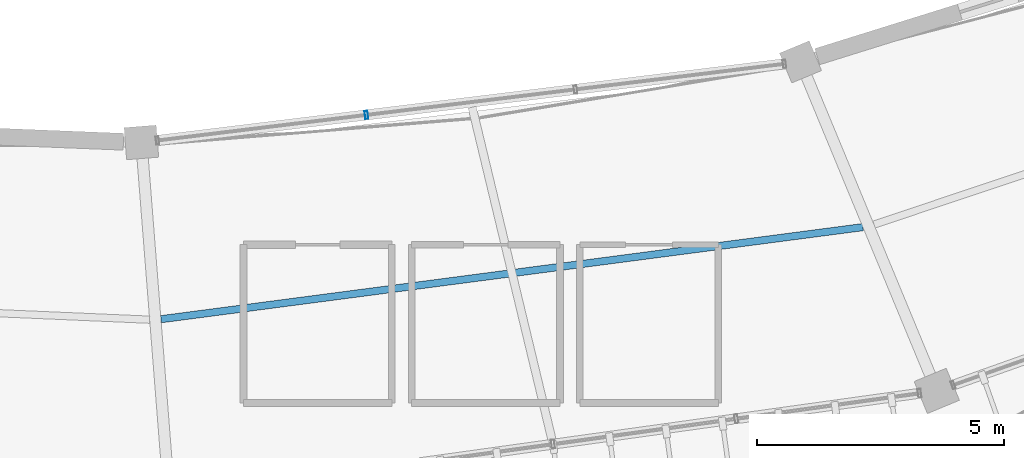
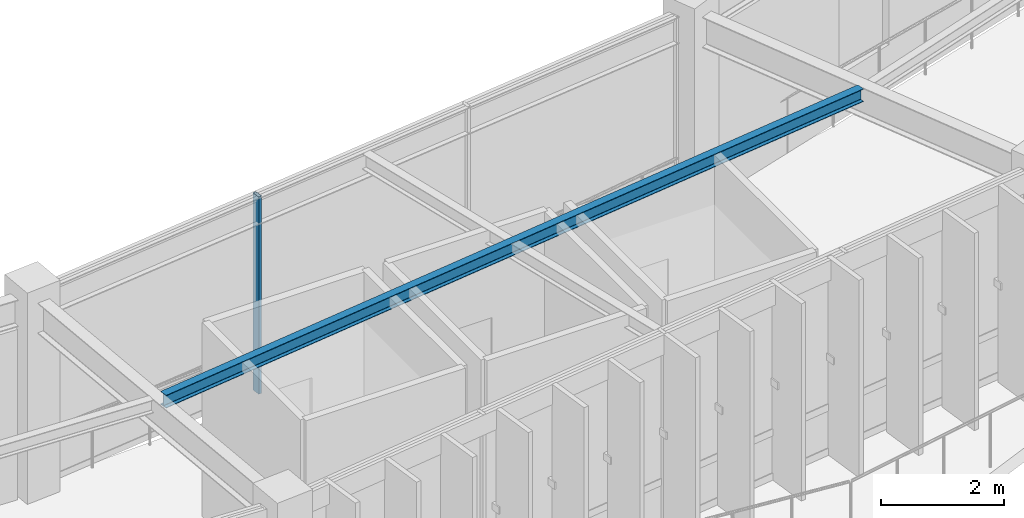
# One storey, part 52 of 138: 1 beam, 1 member, 1 element without a shape of its own.
"""IFC4 building model written with IfcOpenShell, lengths in metres."""

from ifc_helpers import new_model, si_unit, direction, frame, origin, origin_2d, place, context, subcontext, project, spatial, hollow_rectangle, i_section, extrude, material, material_profile, profile_set, type_object, element, aggregate, save


model = new_model("IFC4")

# Units and contexts
model_context = context("Model", 3, precision=1e-05, world=origin(), true_north=direction((0.0, 1.0)))
body_context = subcontext(model_context, "Body", "Model", "MODEL_VIEW")
ifc_project = project(units=[si_unit("LENGTHUNIT", "METRE"), si_unit("AREAUNIT", "SQUARE_METRE"), si_unit("VOLUMEUNIT", "CUBIC_METRE"), si_unit("PLANEANGLEUNIT", "RADIAN"), si_unit("MASSUNIT", "GRAM", prefix="KILO"), si_unit("THERMODYNAMICTEMPERATUREUNIT", "KELVIN"), si_unit("POWERUNIT", "WATT")], contexts=[model_context])

# Site, building, storey
site_placement = place(None, origin())
site = spatial("IfcSite", under=ifc_project, at=site_placement, CompositionType="ELEMENT")
building_placement = place(site_placement, origin())
building = spatial("IfcBuilding", under=site, at=building_placement, Name="Darbajah Civic Hall", CompositionType="ELEMENT")
storey_placement = place(building_placement, frame((0.0, 0.0, 9.60009765625)))
storey = spatial("IfcBuildingStorey", under=building, at=storey_placement, Name="L02", CompositionType="ELEMENT", Elevation=9.60009765625)

# Curtain wall, member
ifc_material_1 = material(Name="Anodised Bronze Aluminium and Low-E Glazing", Category="aluminium")
curtain_wall_type = type_object("IfcCurtainWallType", Name="Unitised Curtain Wall CW-50 12800x3900", PredefinedType="USERDEFINED", material=ifc_material_1)
curtain_wall_placement = place(storey_placement, origin())
curtain_wall = element("IfcCurtainWall", 1, at=curtain_wall_placement, inside=storey, type_object=curtain_wall_type, Name="L02 unitised curtain wall CW-V1I-L02-15", ObjectType="UNITISED CURTAIN WALL", PredefinedType="USERDEFINED")
ifc_material_2 = material(Name="Anodised Bronze Aluminium", Category="aluminium")
ifc_material_profile_1 = material_profile(ifc_material_2, hollow_rectangle(XDim=0.06005859375, YDim=0.159912109375, WallThickness=0.00341796875, at=origin_2d()), Name="ALU MULLION 60x160")
ifc_profile_set_1 = profile_set([ifc_material_profile_1], Name="Anodised Bronze Aluminium")
member_type = type_object("IfcMemberType", Name="ALU MULLION 60x160", PredefinedType="MULLION", material=ifc_profile_set_1)
member_placement = place(storey_placement, frame((97.08642578125, 68.125, 0.0), z_axis=(0.0, 0.0, 1.0), x_axis=(0.992609826221, 0.121349630774, 0.0)))
member = element("IfcMember", 2, at=member_placement, type_object=member_type, Name="CW-V1I-L02-15 mullion 2", PredefinedType="MULLION", context=body_context, shape_type="SweptSolid", body=[
    extrude(hollow_rectangle(XDim=0.06005859375, YDim=0.159912109375, WallThickness=0.00341796875, at=origin_2d()), origin(), (0.0, 0.0, 1.0), 3.919921875),
])
aggregate(curtain_wall, [member])

# Beam
ifc_material_3 = material(Name="Steel S355JR", Category="steel")
ifc_material_profile_2 = material_profile(ifc_material_3, i_section(OverallWidth=0.146484375, OverallDepth=0.256103515625, WebThickness=0.00634765625, FlangeThickness=0.010986328125, FilletRadius=0.007568359375, at=origin_2d()), Name="UB 254x146x37")
ifc_profile_set_2 = profile_set([ifc_material_profile_2], Name="Steel S355JR")
beam_type = type_object("IfcBeamType", Name="UB 254x146x37", PredefinedType="JOIST", material=ifc_profile_set_2)
beam_placement = place(storey_placement, frame((92.93408203125, 63.994873046875, 3.7919921875), z_axis=(0.991504446027, 0.130072800801, 0.0), x_axis=(-0.130072800801, 0.991504446027, 0.0)))
element("IfcBeam", 3, at=beam_placement, inside=storey, type_object=beam_type, Name="L02 beam SJ-254", PredefinedType="JOIST", context=body_context, shape_type="SweptSolid", body=[
    extrude(i_section(OverallWidth=0.146484375, OverallDepth=0.256103515625, WebThickness=0.00634765625, FlangeThickness=0.010986328125, FilletRadius=0.007568359375, at=origin_2d()), origin(), (0.0, 0.0, 1.0), 14.311767578125),
])

save(model, "model.ifc")
